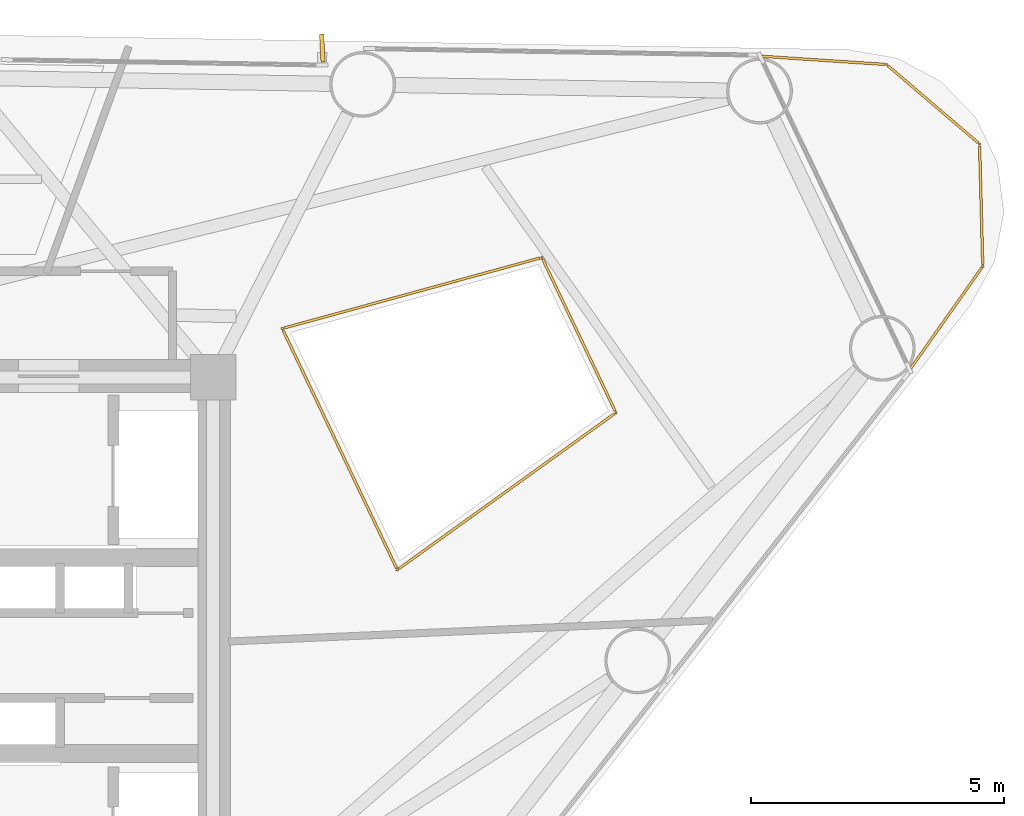
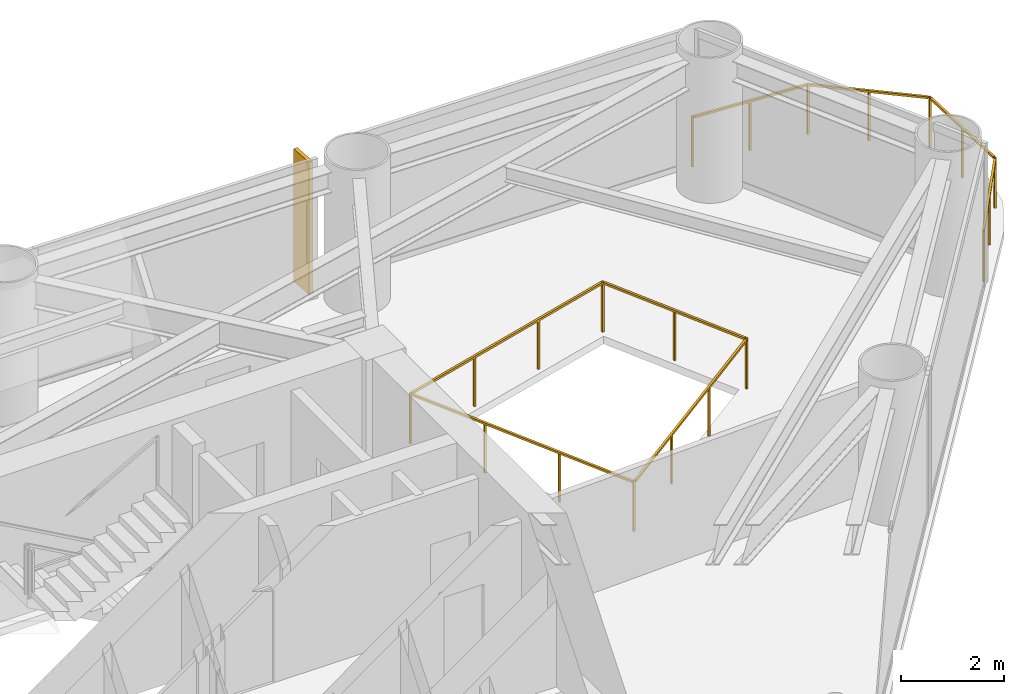
# One storey, part 10 of 10: 2 railings, 1 shading device.
"""IFC4 building model written with IfcOpenShell, lengths in metres."""

from ifc_helpers import new_model, si_unit, direction, frame, origin, origin_2d, place, context, subcontext, project, spatial, rectangle, extrude, source, transform, mapped, material, material_profile, profile_set, type_object, element, save


model = new_model("IFC4")

# Units and contexts
model_context = context("Model", 3, precision=1e-05, world=origin(), true_north=direction((0.0, 1.0)))
body_context = subcontext(model_context, "Body", "Model", "MODEL_VIEW")
ifc_project = project(units=[si_unit("LENGTHUNIT", "METRE"), si_unit("AREAUNIT", "SQUARE_METRE"), si_unit("VOLUMEUNIT", "CUBIC_METRE"), si_unit("PLANEANGLEUNIT", "RADIAN"), si_unit("MASSUNIT", "GRAM", prefix="KILO")], contexts=[model_context])

# Site, building, storey
site_placement = place(None, origin())
site = spatial("IfcSite", under=ifc_project, at=site_placement, CompositionType="ELEMENT")
building_placement = place(site_placement, origin())
building = spatial("IfcBuilding", under=site, at=building_placement, Name="Yunling Apex Tower", CompositionType="ELEMENT")
storey_placement = place(building_placement, frame((0.0, 0.0, 139.85009765625)))
storey = spatial("IfcBuildingStorey", under=building, at=storey_placement, Name="L34", CompositionType="ELEMENT", Elevation=139.85009765625)

# Railings
ifc_material = material(Name="Bronze anodised aluminium", Category="aluminium")
railing_type = type_object("IfcRailingType", Name="RL-BAL-1200", PredefinedType="BALUSTRADE", material=ifc_material)
railing_1_placement = place(storey_placement, frame((16.8701171875, 11.853515625, 0.0)))
element("IfcRailing", 1, at=railing_1_placement, inside=storey, type_object=railing_type, Name="RL-CRNSILL-L34-1", PredefinedType="BALUSTRADE", context=body_context, shape_type="SweptSolid", body=[
    extrude(rectangle(XDim=0.0439453125, YDim=0.0439453125, at=origin_2d()), origin(), (0.0, 0.0, 1.0), 1.199951171875),
    extrude(rectangle(XDim=0.0439453125, YDim=0.0439453125, at=origin_2d()), frame((2.498779296875, -0.164794921875, 0.0)), (0.0, 0.0, 1.0), 1.199951171875),
    extrude(rectangle(XDim=0.050048828125, YDim=0.050048828125, at=origin_2d()), frame((0.038330078125, -0.00244140625, 1.1748046875), z_axis=(0.99783235592, -0.065807214484, 0.0), x_axis=(0.065807214484, 0.99783235592, 0.0)), (0.0, 0.0, 1.0), 2.427490234375),
    extrude(rectangle(XDim=0.0439453125, YDim=0.0439453125, at=origin_2d()), frame((1.24951171875, -0.08251953125, 0.0)), (0.0, 0.0, 1.0), 1.14599609375),
    extrude(rectangle(XDim=0.0439453125, YDim=0.0439453125, at=origin_2d()), frame((4.339599609375, -1.737060546875, 0.0)), (0.0, 0.0, 1.0), 1.199951171875),
    extrude(rectangle(XDim=0.050048828125, YDim=0.050048828125, at=origin_2d()), frame((2.52783203125, -0.189697265625, 1.1748046875), z_axis=(0.760394429478, -0.649461555151, 0.0), x_axis=(0.649461555151, 0.760394429478, 0.0)), (0.0, 0.0, 1.0), 2.34423828125),
    extrude(rectangle(XDim=0.0439453125, YDim=0.0439453125, at=origin_2d()), frame((3.419189453125, -0.950927734375, 0.0)), (0.0, 0.0, 1.0), 1.14599609375),
    extrude(rectangle(XDim=0.0439453125, YDim=0.0439453125, at=origin_2d()), frame((4.403076171875, -4.156982421875, 0.0)), (0.0, 0.0, 1.0), 1.199951171875),
    extrude(rectangle(XDim=0.050048828125, YDim=0.050048828125, at=origin_2d()), frame((4.340576171875, -1.775390625, 1.1748046875), z_axis=(0.026221811823, -0.999656149176, 0.0), x_axis=(0.999656149176, 0.026221811823, 0.0)), (0.0, 0.0, 1.0), 2.343994140625),
    extrude(rectangle(XDim=0.0439453125, YDim=0.0439453125, at=origin_2d()), frame((4.371337890625, -2.947021484375, 0.0)), (0.0, 0.0, 1.0), 1.14599609375),
    extrude(rectangle(XDim=0.0439453125, YDim=0.0439453125, at=origin_2d()), frame((2.95849609375, -6.20263671875, 0.0)), (0.0, 0.0, 1.0), 1.199951171875),
    extrude(rectangle(XDim=0.050048828125, YDim=0.050048828125, at=origin_2d()), frame((4.380859375, -4.188232421875, 1.1748046875), z_axis=(-0.576840114355, -0.816857075914, 0.0), x_axis=(0.816857075914, -0.576840114355, 0.0)), (0.0, 0.0, 1.0), 2.427734375),
    extrude(rectangle(XDim=0.0439453125, YDim=0.0439453125, at=origin_2d()), frame((3.6806640625, -5.1796875, 0.0)), (0.0, 0.0, 1.0), 1.14599609375),
])
railing_2_placement = place(storey_placement, frame((7.41845703125, 6.46728515625, 0.0)))
element("IfcRailing", 2, at=railing_2_placement, inside=storey, type_object=railing_type, Name="RL-TATR-L34", PredefinedType="BALUSTRADE", context=body_context, shape_type="SweptSolid", body=[
    extrude(rectangle(XDim=0.0439453125, YDim=0.0439453125, at=origin_2d()), origin(), (0.0, 0.0, 1.0), 1.199951171875),
    extrude(rectangle(XDim=0.0439453125, YDim=0.0439453125, at=origin_2d()), frame((5.135498046875, 1.404541015625, 0.0)), (0.0, 0.0, 1.0), 1.199951171875),
    extrude(rectangle(XDim=0.050048828125, YDim=0.050048828125, at=origin_2d()), frame((0.036865234375, 0.010009765625, 1.1748046875), z_axis=(0.964575212807, 0.263807996162, 0.0), x_axis=(-0.263807996162, 0.964575212807, 0.0)), (0.0, 0.0, 1.0), 5.24755859375),
    extrude(rectangle(XDim=0.0439453125, YDim=0.0439453125, at=origin_2d()), frame((1.7119140625, 0.46826171875, 0.0)), (0.0, 0.0, 1.0), 1.14599609375),
    extrude(rectangle(XDim=0.0439453125, YDim=0.0439453125, at=origin_2d()), frame((3.423583984375, 0.936279296875, 0.0)), (0.0, 0.0, 1.0), 1.14599609375),
    extrude(rectangle(XDim=0.0439453125, YDim=0.0439453125, at=origin_2d()), frame((6.599609375, -1.664794921875, 0.0)), (0.0, 0.0, 1.0), 1.199951171875),
    extrude(rectangle(XDim=0.050048828125, YDim=0.050048828125, at=origin_2d()), frame((5.152099609375, 1.369873046875, 1.1748046875), z_axis=(0.430538211034, -0.902572351028, 0.0), x_axis=(0.902572351028, 0.430538211034, 0.0)), (0.0, 0.0, 1.0), 3.323974609375),
    extrude(rectangle(XDim=0.0439453125, YDim=0.0439453125, at=origin_2d()), frame((5.86767578125, -0.130126953125, 0.0)), (0.0, 0.0, 1.0), 1.14599609375),
    extrude(rectangle(XDim=0.0439453125, YDim=0.0439453125, at=origin_2d()), frame((2.276123046875, -4.77197265625, 0.0)), (0.0, 0.0, 1.0), 1.199951171875),
    extrude(rectangle(XDim=0.050048828125, YDim=0.050048828125, at=origin_2d()), frame((6.568603515625, -1.687255859375, 1.1748046875), z_axis=(-0.812044572196, -0.583595418733, 0.0), x_axis=(0.583595418733, -0.812044572196, 0.0)), (0.0, 0.0, 1.0), 5.24755859375),
    extrude(rectangle(XDim=0.0439453125, YDim=0.0439453125, at=origin_2d()), frame((5.158447265625, -2.700439453125, 0.0)), (0.0, 0.0, 1.0), 1.14599609375),
    extrude(rectangle(XDim=0.0439453125, YDim=0.0439453125, at=origin_2d()), frame((3.71728515625, -3.736328125, 0.0)), (0.0, 0.0, 1.0), 1.14599609375),
    extrude(rectangle(XDim=0.050048828125, YDim=0.050048828125, at=origin_2d()), frame((2.259521484375, -4.7373046875, 1.1748046875), z_axis=(-0.430512460038, 0.902584634121, 0.0), x_axis=(-0.902584634121, -0.430512460038, 0.0)), (0.0, 0.0, 1.0), 5.21044921875),
    extrude(rectangle(XDim=0.0439453125, YDim=0.0439453125, at=origin_2d()), frame((1.517333984375, -3.181396484375, 0.0)), (0.0, 0.0, 1.0), 1.14599609375),
    extrude(rectangle(XDim=0.0439453125, YDim=0.0439453125, at=origin_2d()), frame((0.7587890625, -1.590576171875, 0.0)), (0.0, 0.0, 1.0), 1.14599609375),
])

# Shading device
ifc_material_profile = material_profile(ifc_material, rectangle(XDim=0.0849609375, YDim=0.550048828125, at=origin_2d()))
ifc_profile_set = profile_set([ifc_material_profile], Name="Bronze anodised aluminium")
shading_device_type = type_object("IfcShadingDeviceType", Name="FN-BRZ-3", PredefinedType="USERDEFINED", material=ifc_profile_set)
shared_shape = source(origin(), body_context, "Body", "SweptSolid", [
    extrude(rectangle(XDim=0.0849609375, YDim=0.550048828125, at=origin_2d()), origin(), (0.0, 0.0, 1.0), 3.14990234375),
])
shading_device_placement = place(storey_placement, frame((8.21142578125, 12.013671875, 0.06005859375), z_axis=(0.0, 0.0, 1.0), x_axis=(-0.998814648022, -0.048675444496, 0.0)))
element("IfcShadingDevice", 3, at=shading_device_placement, inside=storey, type_object=shading_device_type, Name="CW-L34-F2-B2-FIN-01", ObjectType="FIN", PredefinedType="USERDEFINED", context=body_context, shape_type="MappedRepresentation", body=[
    mapped(shared_shape, transform((0.0, 0.0, 0.0), scale=1.0)),
])

save(model, "model.ifc")
